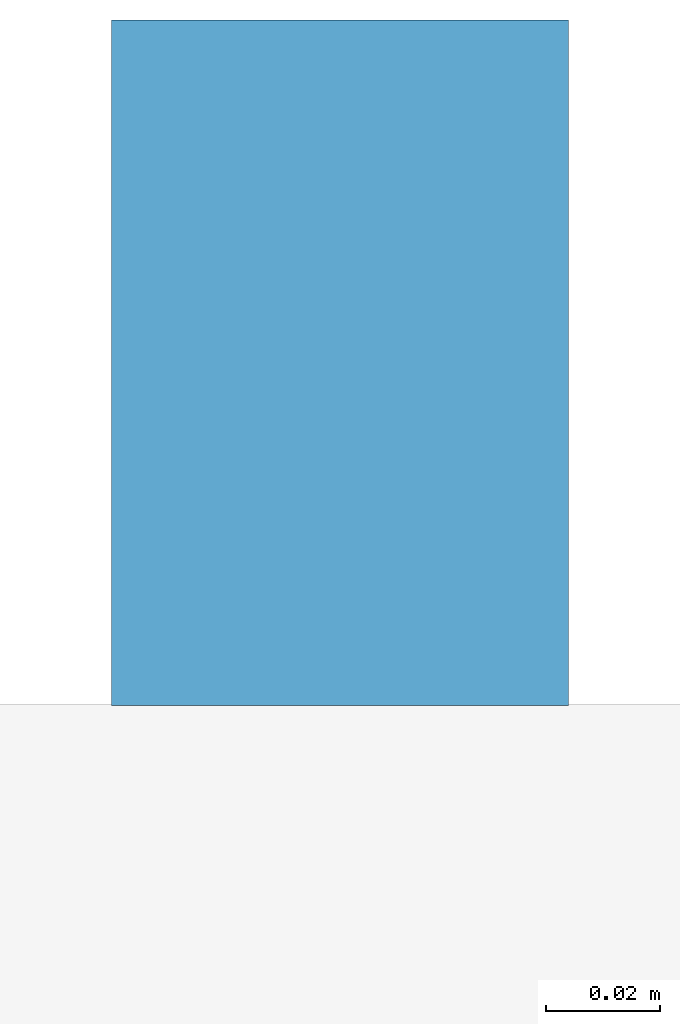
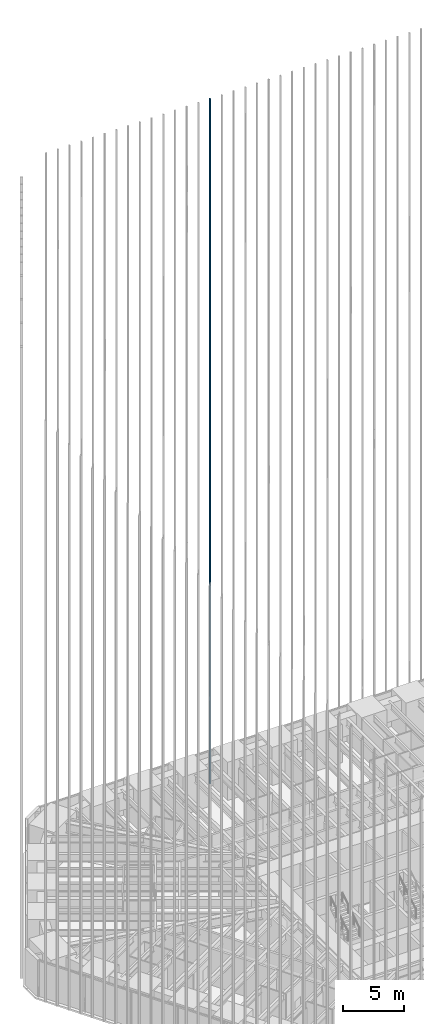
# One storey, part 185 of 256: 1 member, 1 element without a shape of its own.
"""IFC4 building model written with IfcOpenShell, lengths in metres."""

from ifc_helpers import new_model, si_unit, direction, frame, origin, origin_2d, place, context, subcontext, project, spatial, rectangle, extrude, material, material_profile, profile_set, type_object, element, aggregate, save


model = new_model("IFC4")

# Units and contexts
model_context = context("Model", 3, precision=1e-05, world=origin(), true_north=direction((0.0, 1.0)))
body_context = subcontext(model_context, "Body", "Model", "MODEL_VIEW")
ifc_project = project(units=[si_unit("LENGTHUNIT", "METRE"), si_unit("AREAUNIT", "SQUARE_METRE"), si_unit("VOLUMEUNIT", "CUBIC_METRE"), si_unit("PLANEANGLEUNIT", "RADIAN"), si_unit("MASSUNIT", "GRAM", prefix="KILO")], contexts=[model_context])

# Site, building, storey
site_placement = place(None, origin())
site = spatial("IfcSite", under=ifc_project, at=site_placement, CompositionType="ELEMENT")
building_placement = place(site_placement, origin())
building = spatial("IfcBuilding", under=site, at=building_placement, Name="Sandreach Pilgrim Tower", CompositionType="ELEMENT")
storey_placement = place(building_placement, frame((0.0, 0.0, 23.0)))
storey = spatial("IfcBuildingStorey", under=building, at=storey_placement, Name="L04", CompositionType="ELEMENT", Elevation=23.0)

# Curtain wall, member
ifc_material_1 = material(Name="Aluminium framed curtain wall", Category="aluminium")
curtain_wall_type = type_object("IfcCurtainWallType", Name="Hostel tower curtain wall", PredefinedType="NOTDEFINED", material=ifc_material_1)
curtain_wall_placement = place(storey_placement, origin())
curtain_wall = element("IfcCurtainWall", 1, at=curtain_wall_placement, inside=storey, type_object=curtain_wall_type, Name="CW-1 L04 N", PredefinedType="NOTDEFINED")
ifc_material_2 = material(Name="Extruded terracotta on aluminium core", Category="masonry")
ifc_material_profile = material_profile(ifc_material_2, rectangle(XDim=0.080078125, YDim=0.1201171875, at=origin_2d()), Name="TBN 80X120")
ifc_profile_set = profile_set([ifc_material_profile], Name="Extruded terracotta on aluminium core")
member_type = type_object("IfcMemberType", Name="Terracotta baguette north", PredefinedType="USERDEFINED", material=ifc_profile_set)
member_placement = place(storey_placement, frame((-3.313232421875, 24.30859375, 0.0), z_axis=(0.0, 0.0, 1.0), x_axis=(1.0, 0.0, 0.0)))
member = element("IfcMember", 2, at=member_placement, type_object=member_type, Name="Baguette Z1 N15", ObjectType="BAGUETTE", PredefinedType="USERDEFINED", context=body_context, shape_type="SweptSolid", body=[
    extrude(rectangle(XDim=0.080078125, YDim=0.1201171875, at=origin_2d()), origin(), (0.0, 0.0, 1.0), 68.239990234375),
])
aggregate(curtain_wall, [member])

save(model, "model.ifc")
